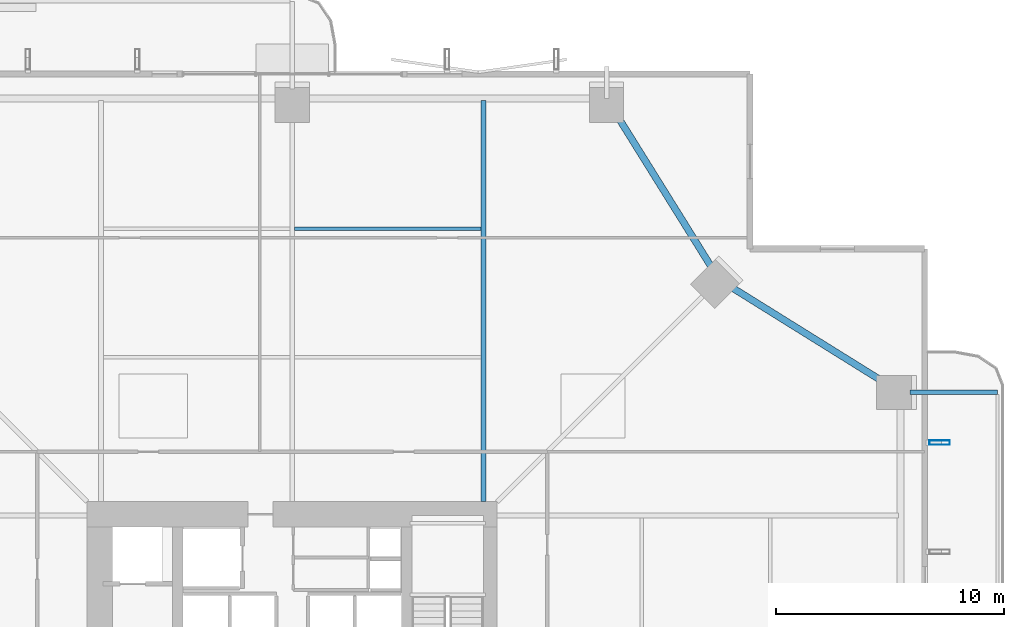
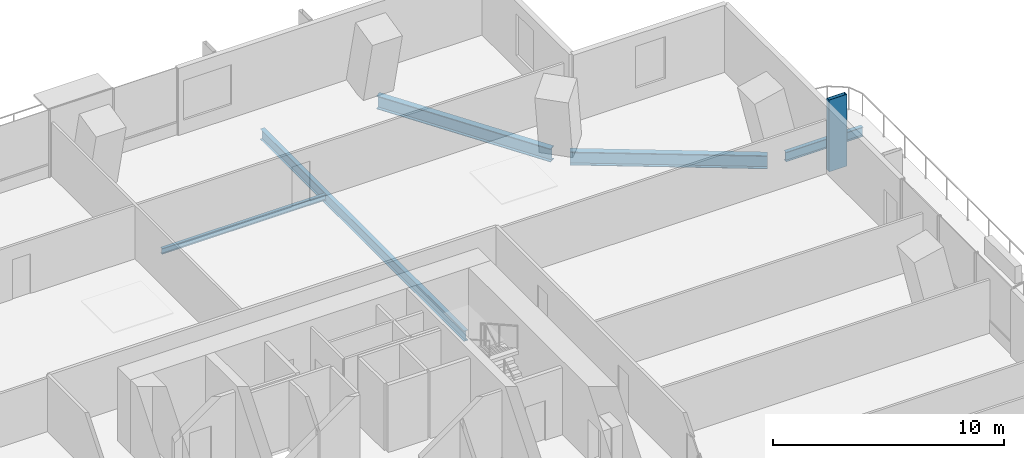
# One storey, part 14 of 24: 5 beams, 1 member.
"""IFC4 building model written with IfcOpenShell, lengths in metres."""

from ifc_helpers import new_model, si_unit, direction, frame, origin, origin_2d, place, context, subcontext, project, spatial, hollow_rectangle, i_section, extrude, material, material_profile, profile_set, type_object, element, save


model = new_model("IFC4")

# Units and contexts
model_context = context("Model", 3, precision=1e-05, world=origin(), true_north=direction((0.0, 1.0)))
body_context = subcontext(model_context, "Body", "Model", "MODEL_VIEW")
ifc_project = project(units=[si_unit("LENGTHUNIT", "METRE"), si_unit("AREAUNIT", "SQUARE_METRE"), si_unit("VOLUMEUNIT", "CUBIC_METRE"), si_unit("PLANEANGLEUNIT", "RADIAN"), si_unit("MASSUNIT", "GRAM", prefix="KILO")], contexts=[model_context])

# Site, building, storey
site_placement = place(None, origin())
site = spatial("IfcSite", under=ifc_project, at=site_placement, CompositionType="ELEMENT")
building_placement = place(site_placement, origin())
building = spatial("IfcBuilding", under=site, at=building_placement, Name="Belovzor Exchange Tower", CompositionType="ELEMENT")
storey_placement = place(building_placement, frame((0.0, 0.0, 104.10009765625)))
storey = spatial("IfcBuildingStorey", under=building, at=storey_placement, Name="L25", CompositionType="ELEMENT", Elevation=104.10009765625)

# Beams
ifc_material_1 = material(Name="Steel S355", Category="steel")
ifc_material_profile_1 = material_profile(ifc_material_1, i_section(OverallWidth=0.199951171875, OverallDepth=0.5, WebThickness=0.01025390625, FlangeThickness=0.01611328125, at=origin_2d()))
ifc_profile_set_1 = profile_set([ifc_material_profile_1], Name="Steel S355")
beam_type_1 = type_object("IfcBeamType", Name="Planted Balcony Cantilever Beam IPE 500", PredefinedType="BEAM", material=ifc_profile_set_1)
beam_1_placement = place(storey_placement, frame((55.9130859375, 42.60009765625, -0.5), z_axis=(1.0, 0.0, 0.0), x_axis=(0.0, 1.0, 0.0)))
element("IfcBeam", 1, at=beam_1_placement, inside=storey, type_object=beam_type_1, Name="BC-500 Planted Balcony Cantilever Beam IPE 500", PredefinedType="BEAM", context=body_context, shape_type="SweptSolid", body=[
    extrude(i_section(OverallWidth=0.199951171875, OverallDepth=0.5, WebThickness=0.01025390625, FlangeThickness=0.01611328125, at=origin_2d()), origin(), (0.0, 0.0, 1.0), 3.849853515625),
])
ifc_material_2 = material(Name="Steel S355", Category="steel")
ifc_material_profile_2 = material_profile(ifc_material_2, i_section(OverallWidth=0.14990234375, OverallDepth=0.300048828125, WebThickness=0.007080078125, FlangeThickness=0.0107421875, at=origin_2d()))
ifc_profile_set_2 = profile_set([ifc_material_profile_2], Name="Steel S355")
beam_type_2 = type_object("IfcBeamType", Name="Secondary Trim Floor Joist IPE 300", PredefinedType="BEAM", material=ifc_profile_set_2)
beam_2_placement = place(storey_placement, frame((28.905029296875, 49.784912109375, -0.400146484375), z_axis=(1.0, 0.0, 0.0), x_axis=(0.0, 1.0, 0.0)))
element("IfcBeam", 2, at=beam_2_placement, inside=storey, type_object=beam_type_2, Name="FJ-300 Secondary Trim Floor Joist IPE 300", PredefinedType="BEAM", context=body_context, shape_type="SweptSolid", body=[
    extrude(i_section(OverallWidth=0.14990234375, OverallDepth=0.300048828125, WebThickness=0.007080078125, FlangeThickness=0.0107421875, at=origin_2d()), origin(), (0.0, 0.0, 1.0), 8.18994140625),
])

# Member
ifc_material_3 = material(Name="Extruded Architectural Terracotta on Steel S355 Carrier", Category="masonry")
ifc_material_profile_3 = material_profile(ifc_material_3, hollow_rectangle(XDim=0.199951171875, YDim=0.89990234375, WallThickness=0.011962890625, at=origin_2d()))
ifc_profile_set_3 = profile_set([ifc_material_profile_3], Name="Extruded Architectural Terracotta on Steel S355 Carrier")
member_type = type_object("IfcMemberType", Name="Sweeping Terracotta Baguette Fin Assembly 1250", PredefinedType="USERDEFINED", material=ifc_profile_set_3)
member_placement = place(storey_placement, frame((57.22509765625, 40.39990234375, -0.25), z_axis=(0.0, 0.0, 1.0), x_axis=(0.0, 1.0, 0.0)))
element("IfcMember", 3, at=member_placement, inside=storey, type_object=member_type, Name="FIN-TC125 Terracotta Facade Fin L25 E4", ObjectType="FIN", PredefinedType="USERDEFINED", context=body_context, shape_type="SweptSolid", body=[
    extrude(hollow_rectangle(XDim=0.199951171875, YDim=0.89990234375, WallThickness=0.011962890625, at=origin_2d()), origin(), (0.0, 0.0, 1.0), 3.789794921875),
])

# Beams
ifc_material_4 = material(Name="Steel S355", Category="steel")
ifc_material_profile_4 = material_profile(ifc_material_4, i_section(OverallWidth=0.300048828125, OverallDepth=0.699951171875, WebThickness=0.01708984375, FlangeThickness=0.031982421875, at=origin_2d()))
ifc_profile_set_4 = profile_set([ifc_material_profile_4], Name="Steel S355")
beam_type_3 = type_object("IfcBeamType", Name="Zone 1 Primary Perimeter Girder HEB 700", PredefinedType="BEAM", material=ifc_profile_set_4)
for number, where, z_axis, x_axis, name in (
    (4, (55.14990234375, 42.818115234375, -0.60009765625), (-0.848909251292, 0.528538629686, 0.0), (-0.528538629686, -0.848909251292, 0.0), "FG-Z1 Zone 1 Primary Perimeter Girder HEB 700"),
    (5, (47.33203125, 47.89990234375, -0.60009765625), (-0.528538629686, 0.848909251292, 0.0), (-0.848909251292, -0.528538629686, 0.0), "FG-Z1 Zone 1 Primary Perimeter Girder HEB 700"),
):
    element("IfcBeam", number, at=place(storey_placement, frame(where, z_axis=z_axis, x_axis=x_axis)), inside=storey, type_object=beam_type_3, Name=name, PredefinedType="BEAM", context=body_context, shape_type="SweptSolid", body=[
        extrude(i_section(OverallWidth=0.300048828125, OverallDepth=0.699951171875, WebThickness=0.01708984375, FlangeThickness=0.031982421875, at=origin_2d()), origin(), (0.0, 0.0, 1.0), 8.540283203125),
    ])
ifc_material_5 = material(Name="Steel S355", Category="steel")
ifc_material_profile_5 = material_profile(ifc_material_5, i_section(OverallWidth=0.2099609375, OverallDepth=0.550048828125, WebThickness=0.010986328125, FlangeThickness=0.01708984375, at=origin_2d()))
ifc_profile_set_5 = profile_set([ifc_material_profile_5], Name="Steel S355")
beam_type_4 = type_object("IfcBeamType", Name="Zone 1 Radial Composite Floor Beam IPE 550", PredefinedType="BEAM", material=ifc_profile_set_5)
beam_3_placement = place(storey_placement, frame((37.199951171875, 37.800048828125, -0.525146484375), z_axis=(0.0, 1.0, 0.0), x_axis=(-1.0, 0.0, 0.0)))
element("IfcBeam", 6, at=beam_3_placement, inside=storey, type_object=beam_type_4, Name="FB-550 Zone 1 Radial Composite Floor Beam IPE 550", PredefinedType="BEAM", context=body_context, shape_type="SweptSolid", body=[
    extrude(i_section(OverallWidth=0.2099609375, OverallDepth=0.550048828125, WebThickness=0.010986328125, FlangeThickness=0.01708984375, at=origin_2d()), origin(), (0.0, 0.0, 1.0), 17.625),
])

save(model, "model.ifc")
